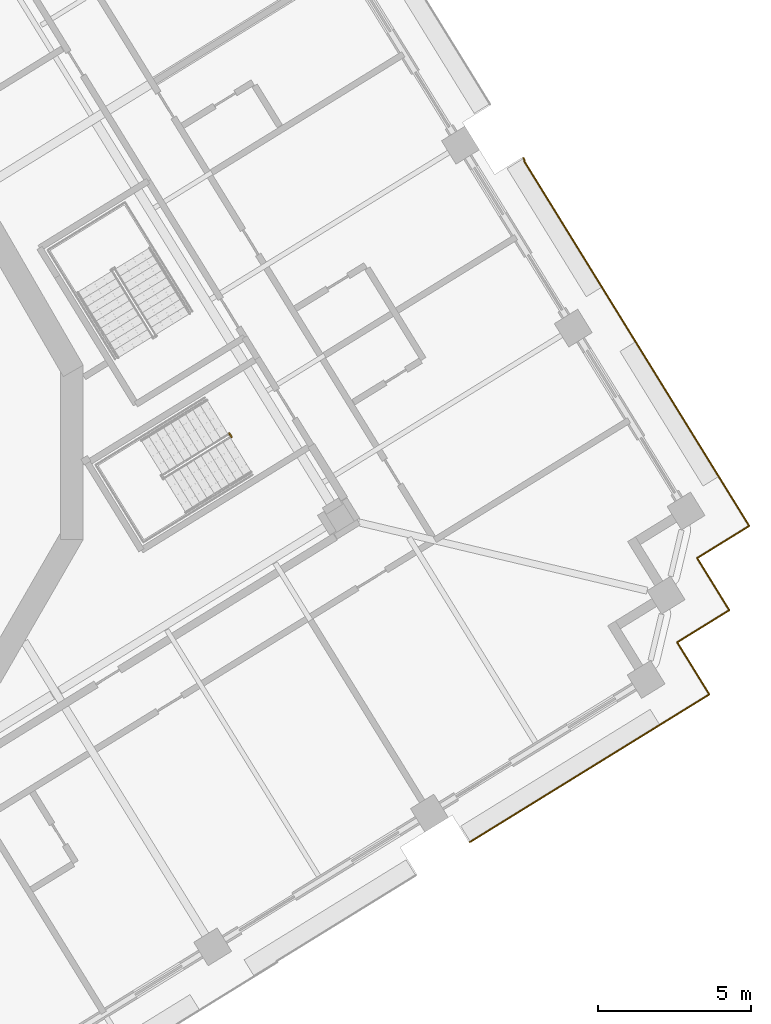
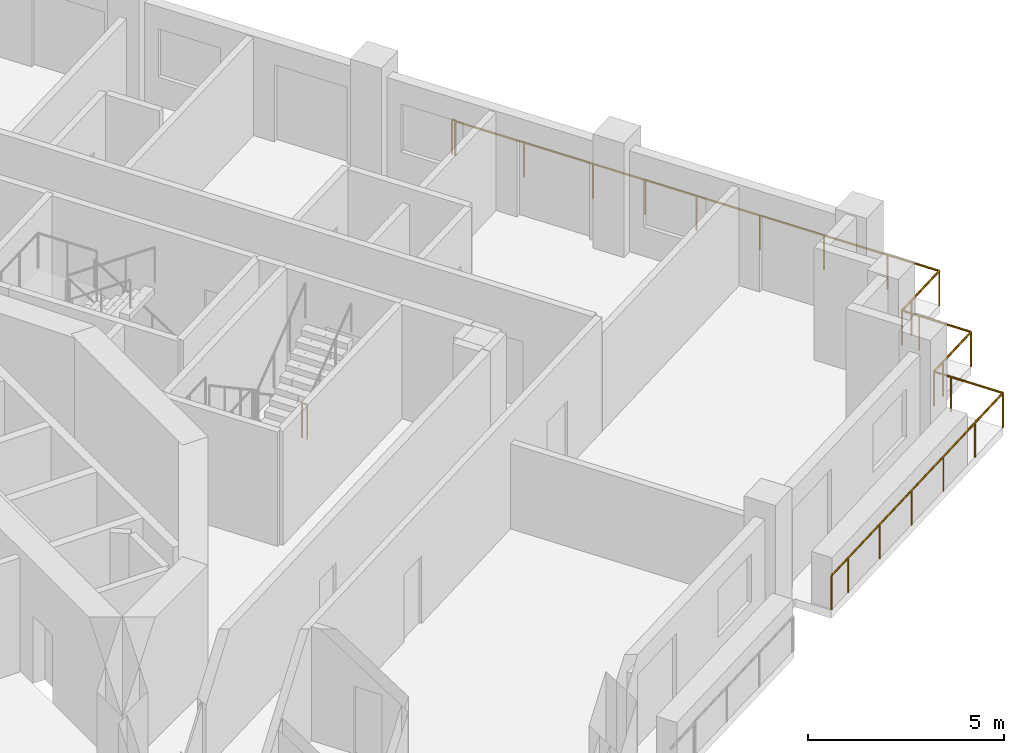
# One storey, part 18 of 22: 3 railings.
"""IFC4 building model written with IfcOpenShell, lengths in metres."""

from ifc_helpers import new_model, si_unit, direction, frame, origin, origin_2d, place, context, subcontext, project, spatial, circle, extrude, material, type_object, element, save


model = new_model("IFC4")

# Units and contexts
model_context = context("Model", 3, precision=1e-05, world=origin(), true_north=direction((0.0, 1.0)))
body_context = subcontext(model_context, "Body", "Model", "MODEL_VIEW")
ifc_project = project(units=[si_unit("LENGTHUNIT", "METRE"), si_unit("AREAUNIT", "SQUARE_METRE"), si_unit("VOLUMEUNIT", "CUBIC_METRE"), si_unit("PLANEANGLEUNIT", "RADIAN"), si_unit("MASSUNIT", "GRAM", prefix="KILO")], contexts=[model_context])

# Site, building, storey
site_placement = place(None, origin())
site = spatial("IfcSite", under=ifc_project, at=site_placement, CompositionType="ELEMENT")
building_placement = place(site_placement, origin())
building = spatial("IfcBuilding", under=site, at=building_placement, Name="Cantera Rosa Tower", CompositionType="ELEMENT")
storey_placement = place(building_placement, frame((0.0, 0.0, 162.800048828125)))
storey = spatial("IfcBuildingStorey", under=building, at=storey_placement, Name="L35", CompositionType="ELEMENT", Elevation=162.800048828125)

# Railings
ifc_material_1 = material(Name="Stainless steel and laminated glass", Category="steel")
railing_type_1 = type_object("IfcRailingType", Name="GUARD 1100", PredefinedType="BALUSTRADE", material=ifc_material_1)
railing_1_placement = place(storey_placement, frame((30.03076171875, -6.208984375, 0.0)))
element("IfcRailing", 1, at=railing_1_placement, inside=storey, type_object=railing_type_1, Name="GUARD L35-10", PredefinedType="BALUSTRADE", context=body_context, shape_type="SweptSolid", body=[
    extrude(circle(Radius=0.030029296875, at=origin_2d()), frame((0.0, 0.0, 1.070068359375), z_axis=(0.52494176933, -0.851138143202, 0.0), x_axis=(0.851138143202, 0.52494176933, 0.0)), (0.0, 0.0, 1.0), 0.5),
    extrude(circle(Radius=0.030029296875, at=origin_2d()), frame((0.262451171875, -0.425537109375, 1.070068359375), z_axis=(0.524869051004, -0.85118298814, 0.0), x_axis=(0.85118298814, 0.524869051004, 0.0)), (0.0, 0.0, 1.0), 1.5),
    extrude(circle(Radius=0.030029296875, at=origin_2d()), frame((1.0498046875, -1.702392578125, 1.070068359375), z_axis=(-0.851138143202, -0.52494176933, 0.0), x_axis=(0.52494176933, -0.851138143202, 0.0)), (0.0, 0.0, 1.0), 1.5),
    extrude(circle(Radius=0.030029296875, at=origin_2d()), frame((-0.226806640625, -2.48974609375, 1.070068359375), z_axis=(-0.851120753703, -0.524969963537, 0.0), x_axis=(0.524969963537, -0.851120753703, 0.0)), (0.0, 0.0, 1.0), 6.820068359375),
    extrude(circle(Radius=0.030029296875, at=origin_2d()), frame((-6.031494140625, -6.070068359375, 1.070068359375), z_axis=(-0.851089370259, -0.525020841331, 0.0), x_axis=(0.525020841331, -0.851089370259, 0.0)), (0.0, 0.0, 1.0), 0.8701171875),
    extrude(circle(Radius=0.02490234375, at=origin_2d()), origin(), (0.0, 0.0, 1.0), 1.0400390625),
    extrude(circle(Radius=0.02490234375, at=origin_2d()), frame((0.262451171875, -0.425537109375, 0.0)), (0.0, 0.0, 1.0), 1.0400390625),
    extrude(circle(Radius=0.02490234375, at=origin_2d()), frame((1.0498046875, -1.702392578125, 0.0)), (0.0, 0.0, 1.0), 1.0400390625),
    extrude(circle(Radius=0.02490234375, at=origin_2d()), frame((-0.226806640625, -2.48974609375, 0.0)), (0.0, 0.0, 1.0), 1.0400390625),
    extrude(circle(Radius=0.02490234375, at=origin_2d()), frame((-1.677978515625, -3.384765625, 0.0)), (0.0, 0.0, 1.0), 1.0400390625),
    extrude(circle(Radius=0.02490234375, at=origin_2d()), frame((-3.129150390625, -4.27978515625, 0.0)), (0.0, 0.0, 1.0), 1.0400390625),
    extrude(circle(Radius=0.02490234375, at=origin_2d()), frame((-4.580322265625, -5.175048828125, 0.0)), (0.0, 0.0, 1.0), 1.0400390625),
    extrude(circle(Radius=0.02490234375, at=origin_2d()), frame((-6.031494140625, -6.070068359375, 0.0)), (0.0, 0.0, 1.0), 1.0400390625),
    extrude(circle(Radius=0.02490234375, at=origin_2d()), frame((-6.77197265625, -6.52685546875, 0.0)), (0.0, 0.0, 1.0), 1.0400390625),
])
railing_2_placement = place(storey_placement, frame((25.004150390625, 9.61865234375, 0.0)))
element("IfcRailing", 2, at=railing_2_placement, inside=storey, type_object=railing_type_1, Name="GUARD L35-11", PredefinedType="BALUSTRADE", context=body_context, shape_type="SweptSolid", body=[
    extrude(circle(Radius=0.030029296875, at=origin_2d()), frame((0.0, 0.0, 1.070068359375), z_axis=(0.524771895301, -0.851242890074, 0.0), x_axis=(0.851242890074, 0.524771895301, 0.0)), (0.0, 0.0, 1.0), 0.10107421875),
    extrude(circle(Radius=0.030029296875, at=origin_2d()), frame((0.052978515625, -0.0859375, 1.070068359375), z_axis=(-0.849761711822, -0.52716698789, 0.0), x_axis=(0.52716698789, -0.849761711822, 0.0)), (0.0, 0.0, 1.0), 0.031005859375),
    extrude(circle(Radius=0.030029296875, at=origin_2d()), frame((0.026611328125, -0.102294921875, 1.070068359375), z_axis=(0.525005464251, -0.851098855896, 0.0), x_axis=(0.851098855896, 0.525005464251, 0.0)), (0.0, 0.0, 1.0), 3.989013671875),
    extrude(circle(Radius=0.030029296875, at=origin_2d()), frame((2.120849609375, -3.497314453125, 1.070068359375), z_axis=(0.524964362564, -0.851124208349, 0.0), x_axis=(0.851124208349, 0.524964362564, 0.0)), (0.0, 0.0, 1.0), 3.0),
    extrude(circle(Radius=0.030029296875, at=origin_2d()), frame((3.69580078125, -6.05078125, 1.070068359375), z_axis=(0.524968277683, -0.851121793533, 0.0), x_axis=(0.851121793533, 0.524968277683, 0.0)), (0.0, 0.0, 1.0), 5.519775390625),
    extrude(circle(Radius=0.030029296875, at=origin_2d()), frame((6.593505859375, -10.748779296875, 1.070068359375), z_axis=(0.524986950369, -0.851110276017, 0.0), x_axis=(0.851110276017, 0.524986950369, 0.0)), (0.0, 0.0, 1.0), 1.500244140625),
    extrude(circle(Radius=0.030029296875, at=origin_2d()), frame((7.381103515625, -12.025634765625, 1.070068359375), z_axis=(-0.85118298814, -0.524869051004, 0.0), x_axis=(0.524869051004, -0.85118298814, 0.0)), (0.0, 0.0, 1.0), 1.5),
    extrude(circle(Radius=0.030029296875, at=origin_2d()), frame((6.104248046875, -12.81298828125, 1.070068359375), z_axis=(-0.851138143202, -0.52494176933, 0.0), x_axis=(0.52494176933, -0.851138143202, 0.0)), (0.0, 0.0, 1.0), 0.5),
    extrude(circle(Radius=0.030029296875, at=origin_2d()), frame((5.6787109375, -13.075439453125, 1.070068359375), z_axis=(0.52494176933, -0.851138143202, 0.0), x_axis=(0.851138143202, 0.52494176933, 0.0)), (0.0, 0.0, 1.0), 0.5),
    extrude(circle(Radius=0.030029296875, at=origin_2d()), frame((5.941162109375, -13.5009765625, 1.070068359375), z_axis=(0.524986950369, -0.851110276017, 0.0), x_axis=(0.851110276017, 0.524986950369, 0.0)), (0.0, 0.0, 1.0), 1.500244140625),
    extrude(circle(Radius=0.030029296875, at=origin_2d()), frame((6.728759765625, -14.77783203125, 1.070068359375), z_axis=(-0.851138143202, -0.52494176933, 0.0), x_axis=(0.52494176933, -0.851138143202, 0.0)), (0.0, 0.0, 1.0), 1.5),
    extrude(circle(Radius=0.030029296875, at=origin_2d()), frame((5.4521484375, -15.565185546875, 1.070068359375), z_axis=(-0.851138143202, -0.52494176933, 0.0), x_axis=(0.52494176933, -0.851138143202, 0.0)), (0.0, 0.0, 1.0), 0.5),
    extrude(circle(Radius=0.02490234375, at=origin_2d()), origin(), (0.0, 0.0, 1.0), 1.0400390625),
    extrude(circle(Radius=0.02490234375, at=origin_2d()), frame((0.052978515625, -0.0859375, 0.0)), (0.0, 0.0, 1.0), 1.0400390625),
    extrude(circle(Radius=0.02490234375, at=origin_2d()), frame((0.026611328125, -0.102294921875, 0.0)), (0.0, 0.0, 1.0), 1.0400390625),
    extrude(circle(Radius=0.02490234375, at=origin_2d()), frame((1.07373046875, -1.7998046875, 0.0)), (0.0, 0.0, 1.0), 1.0400390625),
    extrude(circle(Radius=0.02490234375, at=origin_2d()), frame((2.120849609375, -3.497314453125, 0.0)), (0.0, 0.0, 1.0), 1.0400390625),
    extrude(circle(Radius=0.02490234375, at=origin_2d()), frame((2.908203125, -4.77392578125, 0.0)), (0.0, 0.0, 1.0), 1.0400390625),
    extrude(circle(Radius=0.02490234375, at=origin_2d()), frame((3.69580078125, -6.05078125, 0.0)), (0.0, 0.0, 1.0), 1.0400390625),
    extrude(circle(Radius=0.02490234375, at=origin_2d()), frame((4.66162109375, -7.61669921875, 0.0)), (0.0, 0.0, 1.0), 1.0400390625),
    extrude(circle(Radius=0.02490234375, at=origin_2d()), frame((5.627685546875, -9.182861328125, 0.0)), (0.0, 0.0, 1.0), 1.0400390625),
    extrude(circle(Radius=0.02490234375, at=origin_2d()), frame((6.593505859375, -10.748779296875, 0.0)), (0.0, 0.0, 1.0), 1.0400390625),
    extrude(circle(Radius=0.02490234375, at=origin_2d()), frame((7.381103515625, -12.025634765625, 0.0)), (0.0, 0.0, 1.0), 1.0400390625),
    extrude(circle(Radius=0.02490234375, at=origin_2d()), frame((6.104248046875, -12.81298828125, 0.0)), (0.0, 0.0, 1.0), 1.0400390625),
    extrude(circle(Radius=0.02490234375, at=origin_2d()), frame((5.6787109375, -13.075439453125, 0.0)), (0.0, 0.0, 1.0), 1.0400390625),
    extrude(circle(Radius=0.02490234375, at=origin_2d()), frame((5.941162109375, -13.5009765625, 0.0)), (0.0, 0.0, 1.0), 1.0400390625),
    extrude(circle(Radius=0.02490234375, at=origin_2d()), frame((6.728759765625, -14.77783203125, 0.0)), (0.0, 0.0, 1.0), 1.0400390625),
    extrude(circle(Radius=0.02490234375, at=origin_2d()), frame((5.4521484375, -15.565185546875, 0.0)), (0.0, 0.0, 1.0), 1.0400390625),
    extrude(circle(Radius=0.02490234375, at=origin_2d()), frame((5.026611328125, -15.82763671875, 0.0)), (0.0, 0.0, 1.0), 1.0400390625),
])
ifc_material_2 = material(Name="Steel S355J2 (EN 10025-2)", Category="steel")
railing_type_2 = type_object("IfcRailingType", Name="STAIR GUARD 1100", PredefinedType="GUARDRAIL", material=ifc_material_2)
railing_3_placement = place(storey_placement, frame((15.394775390625, 0.625, 0.0)))
element("IfcRailing", 3, at=railing_3_placement, inside=storey, type_object=railing_type_2, Name="L35 ST-34 stair guard 3", PredefinedType="GUARDRAIL", context=body_context, shape_type="SweptSolid", body=[
    extrude(circle(Radius=0.02392578125, at=origin_2d()), frame((0.0, 0.0, 1.076171875), z_axis=(0.524279100842, -0.851546489876, 0.0), x_axis=(0.851546489876, 0.524279100842, 0.0)), (0.0, 0.0, 1.0), 0.14990234375),
    extrude(circle(Radius=0.02099609375, at=origin_2d()), origin(), (0.0, 0.0, 1.0), 1.052001953125),
    extrude(circle(Radius=0.02099609375, at=origin_2d()), frame((0.07861328125, -0.127685546875, 0.0)), (0.0, 0.0, 1.0), 1.052001953125),
])

save(model, "model.ifc")
